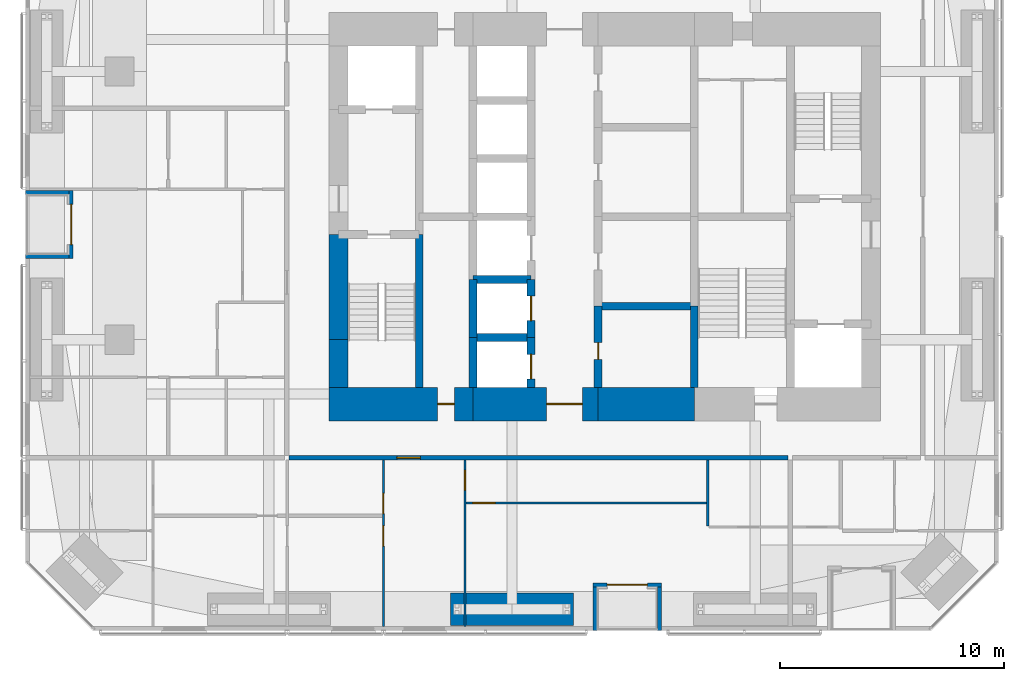
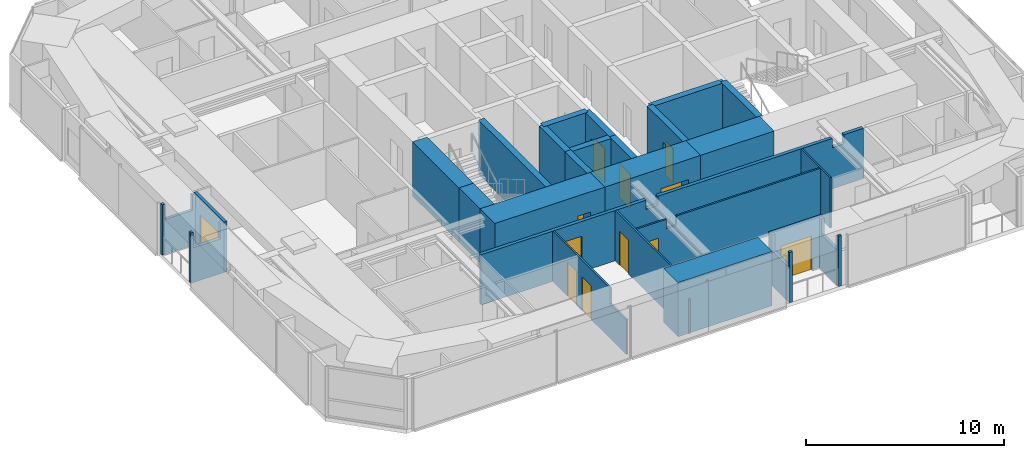
# One storey, part 18 of 24: 27 walls, 12 doors, 12 openings.
"""IFC4 building model written with IfcOpenShell, lengths in metres."""

from ifc_helpers import new_model, si_unit, direction, frame, frame_2d, origin, place, context, subcontext, project, spatial, polyline, rectangle, outline, extrude, material, layer, layer_set, constituent, constituent_set, type_object, element, fill, save


model = new_model("IFC4")

# Units and contexts
model_context = context("Model", 3, precision=1e-05, world=origin(), true_north=direction((0.0, 1.0)))
body_context = subcontext(model_context, "Body", "Model", "MODEL_VIEW")
ifc_project = project(units=[si_unit("LENGTHUNIT", "METRE"), si_unit("AREAUNIT", "SQUARE_METRE"), si_unit("VOLUMEUNIT", "CUBIC_METRE"), si_unit("PLANEANGLEUNIT", "RADIAN"), si_unit("MASSUNIT", "GRAM", prefix="KILO")], contexts=[model_context])

# Site, building, storey
site_placement = place(None, origin())
site = spatial("IfcSite", under=ifc_project, at=site_placement, CompositionType="ELEMENT")
building_placement = place(site_placement, origin())
building = spatial("IfcBuilding", under=site, at=building_placement, Name="Jalousie Tower", CompositionType="ELEMENT")
storey_placement = place(building_placement, frame((0.0, 0.0, 135.0)))
storey = spatial("IfcBuildingStorey", under=building, at=storey_placement, Name="L37", CompositionType="ELEMENT", Elevation=135.0)

# Wall, opening, door
ifc_material_1 = material(Name="Concrete f'c 120 MPa", Category="concrete")
ifc_layer_1 = layer(ifc_material_1, 1.5)
ifc_layer_set_1 = layer_set([ifc_layer_1], Name="Concrete f'c 120 MPa")
wall_type_1 = type_object("IfcWallType", Name="CORE WALL 1500", PredefinedType="SHEAR", material=ifc_layer_set_1)
wall_1_placement = place(storey_placement, frame((19.574951171875, 10.125, 0.0), z_axis=(0.0, 0.0, 1.0), x_axis=(1.0, 0.0, 0.0)))
wall_1 = element("IfcWall", 1, at=wall_1_placement, inside=storey, type_object=wall_type_1, Name="Core wall SA L37", PredefinedType="SHEAR", context=body_context, shape_type="SweptSolid", body=[
    extrude(rectangle(XDim=6.425048828125, YDim=1.5, at=frame_2d((3.21240234375, 0.0))), origin(), (0.0, 0.0, 1.0), 3.35009765625),
])
opening_1_placement = place(wall_1_placement, frame((4.85009765625, 0.0, 0.0)))
opening_1 = element("IfcOpeningElement", 2, at=opening_1_placement, cuts=wall_1, Name="Opening D16", PredefinedType="OPENING", context=body_context, shape_type="SweptSolid", body=[
    extrude(rectangle(XDim=0.75, YDim=2.10009765625, at=frame_2d((0.375, 1.050048828125))), frame((0.0, 0.760009765625, 0.0), z_axis=(0.0, -1.0, 0.0), x_axis=(1.0, 0.0, 0.0)), (0.0, 0.0, 1.0), 1.52001953125),
])
ifc_material_2 = material(Name="Steel fire door", Category="steel")
door_type_1 = type_object("IfcDoorType", Name="RISER DOOR 750", OperationType="SINGLE_SWING_LEFT", PredefinedType="DOOR", material=ifc_material_2)
door_1_placement = place(opening_1_placement, origin())
door_1 = element("IfcDoor", 3, at=door_1_placement, inside=storey, type_object=door_type_1, Name="South riser door", OperationType="SINGLE_SWING_LEFT", OverallHeight=2.10009765625, OverallWidth=0.75, PredefinedType="DOOR", context=body_context, shape_type="SweptSolid", body=[
    extrude(rectangle(XDim=0.75, YDim=2.10009765625, at=frame_2d((0.375, 1.050048828125))), frame((0.0, 0.02490234375, 0.0), z_axis=(0.0, -1.0, 0.0), x_axis=(1.0, 0.0, 0.0)), (0.0, 0.0, 1.0), 0.050048828125),
])
fill(opening_1, door_1)

wall_2_placement = place(storey_placement, frame((26.0, 10.125, 0.0), z_axis=(0.0, 0.0, 1.0), x_axis=(1.0, 0.0, 0.0)))
wall_2 = element("IfcWall", 4, at=wall_2_placement, inside=storey, type_object=wall_type_1, Name="Core wall SB L37", PredefinedType="SHEAR", context=body_context, shape_type="SweptSolid", body=[
    extrude(rectangle(XDim=5.60009765625, YDim=1.5, at=frame_2d((2.800048828125, 0.0))), origin(), (0.0, 0.0, 1.0), 3.35009765625),
])
opening_2_placement = place(wall_2_placement, frame((3.300048828125, 0.0, 0.0)))
opening_2 = element("IfcOpeningElement", 5, at=opening_2_placement, cuts=wall_2, Name="Opening D15", PredefinedType="OPENING", context=body_context, shape_type="SweptSolid", body=[
    extrude(rectangle(XDim=1.60009765625, YDim=2.10009765625, at=frame_2d((0.800048828125, 1.050048828125))), frame((0.0, 0.760009765625, 0.0), z_axis=(0.0, -1.0, 0.0), x_axis=(1.0, 0.0, 0.0)), (0.0, 0.0, 1.0), 1.52001953125),
])
ifc_material_3 = material(Name="Steel fire door", Category="steel")
door_type_2 = type_object("IfcDoorType", Name="LIFT LOBBY DOOR 1600", OperationType="DOUBLE_DOOR_SINGLE_SWING", PredefinedType="DOOR", material=ifc_material_3)
door_2_placement = place(opening_2_placement, origin())
door_2 = element("IfcDoor", 6, at=door_2_placement, inside=storey, type_object=door_type_2, Name="Lift lobby south door", OperationType="DOUBLE_DOOR_SINGLE_SWING", OverallHeight=2.10009765625, OverallWidth=1.60009765625, PredefinedType="DOOR", context=body_context, shape_type="SweptSolid", body=[
    extrude(rectangle(XDim=1.60009765625, YDim=2.10009765625, at=frame_2d((0.800048828125, 1.050048828125))), frame((0.0, 0.02490234375, 0.0), z_axis=(0.0, -1.0, 0.0), x_axis=(1.0, 0.0, 0.0)), (0.0, 0.0, 1.0), 0.050048828125),
])
fill(opening_2, door_2)

# Walls
wall_3_placement = place(storey_placement, frame((31.60009765625, 10.125, 0.0), z_axis=(0.0, 0.0, 1.0), x_axis=(1.0, 0.0, 0.0)))
element("IfcWall", 7, at=wall_3_placement, inside=storey, type_object=wall_type_1, Name="Core wall SC L37", PredefinedType="SHEAR", context=body_context, shape_type="SweptSolid", body=[
    extrude(rectangle(XDim=4.2998046875, YDim=1.5, at=frame_2d((2.14990234375, 0.0))), origin(), (0.0, 0.0, 1.0), 3.35009765625),
])
ifc_material_4 = material(Name="Concrete f'c 120 MPa", Category="concrete")
ifc_layer_2 = layer(ifc_material_4, 0.35009765625)
ifc_layer_set_2 = layer_set([ifc_layer_2], Name="Concrete f'c 120 MPa")
wall_type_2 = type_object("IfcWallType", Name="CORE WALL 350", PredefinedType="SHEAR", material=ifc_layer_set_2)
wall_4_placement = place(storey_placement, frame((23.60009765625, 10.875, 0.0), z_axis=(0.0, 0.0, 1.0), x_axis=(0.0, 1.0, 0.0)))
element("IfcWall", 8, at=wall_4_placement, inside=storey, type_object=wall_type_2, Name="Core wall X23.6A L37", PredefinedType="SHEAR", context=body_context, shape_type="SweptSolid", body=[
    extrude(rectangle(XDim=6.824951171875, YDim=0.35009765625, at=frame_2d((3.41259765625, 0.0))), origin(), (0.0, 0.0, 1.0), 3.35009765625),
])
wall_5_placement = place(storey_placement, frame((26.0, 10.875, 0.0), z_axis=(0.0, 0.0, 1.0), x_axis=(0.0, 1.0, 0.0)))
element("IfcWall", 9, at=wall_5_placement, inside=storey, type_object=wall_type_2, Name="Core wall X26A L37", PredefinedType="SHEAR", context=body_context, shape_type="SweptSolid", body=[
    extrude(rectangle(XDim=2.22509765625, YDim=0.35009765625, at=frame_2d((1.112548828125, 0.0))), origin(), (0.0, 0.0, 1.0), 3.35009765625),
])
wall_6_placement = place(storey_placement, frame((26.0, 13.10009765625, 0.0), z_axis=(0.0, 0.0, 1.0), x_axis=(0.0, 1.0, 0.0)))
element("IfcWall", 10, at=wall_6_placement, inside=storey, type_object=wall_type_2, Name="Core wall X26B L37", PredefinedType="SHEAR", context=body_context, shape_type="SweptSolid", body=[
    extrude(rectangle(XDim=2.599853515625, YDim=0.35009765625, at=frame_2d((1.2998046875, 0.0))), origin(), (0.0, 0.0, 1.0), 3.35009765625),
])

# Wall, opening, door
wall_7_placement = place(storey_placement, frame((28.60009765625, 10.875, 0.0), z_axis=(0.0, 0.0, 1.0), x_axis=(0.0, 1.0, 0.0)))
wall_7 = element("IfcWall", 11, at=wall_7_placement, inside=storey, type_object=wall_type_2, Name="Core wall X28.6A L37", PredefinedType="SHEAR", context=body_context, shape_type="SweptSolid", body=[
    extrude(rectangle(XDim=2.22509765625, YDim=0.35009765625, at=frame_2d((1.112548828125, 0.0))), origin(), (0.0, 0.0, 1.0), 3.35009765625),
])
opening_3_placement = place(wall_7_placement, frame((0.375, 0.0, 0.0)))
opening_3 = element("IfcOpeningElement", 12, at=opening_3_placement, cuts=wall_7, Name="Opening LD1", PredefinedType="OPENING", context=body_context, shape_type="SweptSolid", body=[
    extrude(rectangle(XDim=1.10009765625, YDim=2.10009765625, at=frame_2d((0.550048828125, 1.050048828125))), frame((0.0, 0.18505859375, 0.0), z_axis=(0.0, -1.0, 0.0), x_axis=(1.0, 0.0, 0.0)), (0.0, 0.0, 1.0), 0.3701171875),
])
ifc_material_5 = material(Name="Steel lift landing door", Category="steel")
door_type_3 = type_object("IfcDoorType", Name="LIFT LANDING DOOR 1100", OperationType="SLIDING_TO_LEFT", PredefinedType="DOOR", material=ifc_material_5)
door_3_placement = place(opening_3_placement, origin())
door_3 = element("IfcDoor", 13, at=door_3_placement, inside=storey, type_object=door_type_3, Name="Lift P1 landing door", OperationType="SLIDING_TO_LEFT", OverallHeight=2.10009765625, OverallWidth=1.10009765625, PredefinedType="DOOR", context=body_context, shape_type="SweptSolid", body=[
    extrude(rectangle(XDim=1.10009765625, YDim=2.10009765625, at=frame_2d((0.550048828125, 1.050048828125))), frame((0.0, 0.02490234375, 0.0), z_axis=(0.0, -1.0, 0.0), x_axis=(1.0, 0.0, 0.0)), (0.0, 0.0, 1.0), 0.050048828125),
])
fill(opening_3, door_3)

wall_8_placement = place(storey_placement, frame((28.60009765625, 13.10009765625, 0.0), z_axis=(0.0, 0.0, 1.0), x_axis=(0.0, 1.0, 0.0)))
wall_8 = element("IfcWall", 14, at=wall_8_placement, inside=storey, type_object=wall_type_2, Name="Core wall X28.6B L37", PredefinedType="SHEAR", context=body_context, shape_type="SweptSolid", body=[
    extrude(rectangle(XDim=2.599853515625, YDim=0.35009765625, at=frame_2d((1.2998046875, 0.0))), origin(), (0.0, 0.0, 1.0), 3.35009765625),
])
opening_4_placement = place(wall_8_placement, frame((0.75, 0.0, 0.0)))
opening_4 = element("IfcOpeningElement", 15, at=opening_4_placement, cuts=wall_8, Name="Opening LD1", PredefinedType="OPENING", context=body_context, shape_type="SweptSolid", body=[
    extrude(rectangle(XDim=1.10009765625, YDim=2.10009765625, at=frame_2d((0.550048828125, 1.050048828125))), frame((0.0, 0.18505859375, 0.0), z_axis=(0.0, -1.0, 0.0), x_axis=(1.0, 0.0, 0.0)), (0.0, 0.0, 1.0), 0.3701171875),
])
door_4_placement = place(opening_4_placement, origin())
door_4 = element("IfcDoor", 16, at=door_4_placement, inside=storey, type_object=door_type_3, Name="Lift P2 landing door", OperationType="SLIDING_TO_LEFT", OverallHeight=2.10009765625, OverallWidth=1.10009765625, PredefinedType="DOOR", context=body_context, shape_type="SweptSolid", body=[
    extrude(rectangle(XDim=1.10009765625, YDim=2.10009765625, at=frame_2d((0.550048828125, 1.050048828125))), frame((0.0, 0.02490234375, 0.0), z_axis=(0.0, -1.0, 0.0), x_axis=(1.0, 0.0, 0.0)), (0.0, 0.0, 1.0), 0.050048828125),
])
fill(opening_4, door_4)

wall_9_placement = place(storey_placement, frame((31.60009765625, 10.875, 0.0), z_axis=(0.0, 0.0, 1.0), x_axis=(0.0, 1.0, 0.0)))
wall_9 = element("IfcWall", 17, at=wall_9_placement, inside=storey, type_object=wall_type_2, Name="Core wall X31.6A L37", PredefinedType="SHEAR", context=body_context, shape_type="SweptSolid", body=[
    extrude(rectangle(XDim=3.625, YDim=0.35009765625, at=frame_2d((1.8125, 0.0))), origin(), (0.0, 0.0, 1.0), 3.35009765625),
])
opening_5_placement = place(wall_9_placement, frame((1.25, 0.0, 0.0)))
opening_5 = element("IfcOpeningElement", 18, at=opening_5_placement, cuts=wall_9, Name="Opening D16", PredefinedType="OPENING", context=body_context, shape_type="SweptSolid", body=[
    extrude(rectangle(XDim=0.75, YDim=2.10009765625, at=frame_2d((0.375, 1.050048828125))), frame((0.0, 0.18505859375, 0.0), z_axis=(0.0, -1.0, 0.0), x_axis=(1.0, 0.0, 0.0)), (0.0, 0.0, 1.0), 0.3701171875),
])
door_5_placement = place(opening_5_placement, frame((0.75, 0.0, 0.0), z_axis=(0.0, 0.0, 1.0), x_axis=(-1.0, 0.0, 0.0)))
door_5 = element("IfcDoor", 19, at=door_5_placement, inside=storey, type_object=door_type_1, Name="Refuse Room door", OperationType="SINGLE_SWING_RIGHT", OverallHeight=2.10009765625, OverallWidth=0.75, PredefinedType="DOOR", context=body_context, shape_type="SweptSolid", body=[
    extrude(rectangle(XDim=0.75, YDim=2.10009765625, at=frame_2d((0.375, 1.050048828125))), frame((0.0, 0.02490234375, 0.0), z_axis=(0.0, -1.0, 0.0), x_axis=(1.0, 0.0, 0.0)), (0.0, 0.0, 1.0), 0.050048828125),
])
fill(opening_5, door_5)

# Walls
wall_10_placement = place(storey_placement, frame((35.89990234375, 10.875, 0.0), z_axis=(0.0, 0.0, 1.0), x_axis=(0.0, 1.0, 0.0)))
element("IfcWall", 20, at=wall_10_placement, inside=storey, type_object=wall_type_2, Name="Core wall X35.9A L37", PredefinedType="SHEAR", context=body_context, shape_type="SweptSolid", body=[
    extrude(rectangle(XDim=3.625, YDim=0.35009765625, at=frame_2d((1.8125, 0.0))), origin(), (0.0, 0.0, 1.0), 3.35009765625),
])
for number, where, z_axis, x_axis, name in (
    (21, (26.0, 13.10009765625, 0.0), (0.0, 0.0, 1.0), (1.0, 0.0, 0.0), "Core wall Y26-13.1 L37"),
    (22, (26.0, 15.699951171875, 0.0), (0.0, 0.0, 1.0), (1.0, 0.0, 0.0), "Core wall Y26-15.7 L37"),
):
    element("IfcWall", number, at=place(storey_placement, frame(where, z_axis=z_axis, x_axis=x_axis)), inside=storey, type_object=wall_type_2, Name=name, PredefinedType="SHEAR", context=body_context, shape_type="SweptSolid", body=[
        extrude(rectangle(XDim=2.60009765625, YDim=0.35009765625, at=frame_2d((1.300048828125, 0.0))), origin(), (0.0, 0.0, 1.0), 3.35009765625),
    ])
wall_11_placement = place(storey_placement, frame((31.60009765625, 14.5, 0.0), z_axis=(0.0, 0.0, 1.0), x_axis=(1.0, 0.0, 0.0)))
element("IfcWall", 23, at=wall_11_placement, inside=storey, type_object=wall_type_2, Name="Core wall Y31.6-14.5 L37", PredefinedType="SHEAR", context=body_context, shape_type="SweptSolid", body=[
    extrude(rectangle(XDim=4.2998046875, YDim=0.35009765625, at=frame_2d((2.14990234375, 0.0))), origin(), (0.0, 0.0, 1.0), 3.35009765625),
])
ifc_material_6 = material(Name="Concrete f'c 120 MPa", Category="concrete")
ifc_layer_3 = layer(ifc_material_6, 0.85009765625)
ifc_layer_set_3 = layer_set([ifc_layer_3], Name="Concrete f'c 120 MPa")
wall_type_3 = type_object("IfcWallType", Name="CORE WALL 850", PredefinedType="SHEAR", material=ifc_layer_set_3)
wall_12_placement = place(storey_placement, frame((20.0, 17.699951171875, 0.0), z_axis=(0.0, 0.0, 1.0), x_axis=(0.0, -1.0, 0.0)))
element("IfcWall", 24, at=wall_12_placement, inside=storey, type_object=wall_type_3, Name="Core wall WC L37", PredefinedType="SHEAR", context=body_context, shape_type="SweptSolid", body=[
    extrude(rectangle(XDim=4.699951171875, YDim=0.85009765625, at=frame_2d((2.35009765625, 0.0))), origin(), (0.0, 0.0, 1.0), 3.35009765625),
])
wall_13_placement = place(storey_placement, frame((20.0, 13.0, 0.0), z_axis=(0.0, 0.0, 1.0), x_axis=(0.0, -1.0, 0.0)))
element("IfcWall", 25, at=wall_13_placement, inside=storey, type_object=wall_type_3, Name="Core wall WD L37", PredefinedType="SHEAR", context=body_context, shape_type="SweptSolid", body=[
    extrude(rectangle(XDim=2.125, YDim=0.85009765625, at=frame_2d((1.0625, 0.0))), origin(), (0.0, 0.0, 1.0), 3.35009765625),
])

# Wall, opening, door
ifc_material_7 = material(Name="Concrete block ASTM C90", Category="concrete")
ifc_constituent_1 = constituent(ifc_material_7, Name="Body")
ifc_material_8 = material(Name="Render")
ifc_constituent_2 = constituent(ifc_material_8, Name="Finish")
ifc_constituent_set_1 = constituent_set(constituents=[ifc_constituent_1, ifc_constituent_2])
wall_type_4 = type_object("IfcWallType", Name="CORRIDOR WALL 200", PredefinedType="PARTITIONING", material=ifc_constituent_set_1)
wall_14_placement = place(storey_placement, frame((17.77490234375, 7.72509765625, 0.0), z_axis=(0.0, 0.0, 1.0), x_axis=(1.0, 0.0, 0.0)))
wall_14 = element("IfcWall", 26, at=wall_14_placement, inside=storey, type_object=wall_type_4, Name="Corridor Wall 200 L37", PredefinedType="PARTITIONING", context=body_context, shape_type="SweptSolid", body=[
    extrude(outline(polyline([(0.0, 0.0), (22.3251953125, 0.0), (22.324951171875, 3.110107421875), (21.187255859375, 3.110107421875), (21.187255859375, 2.541015625), (20.5126953125, 2.541015625), (20.5126953125, 3.110107421875), (10.312255859375, 3.110107421875), (10.312255859375, 2.541015625), (9.6376953125, 2.541015625), (9.6376953125, 3.110107421875), (0.0, 3.110107421875), (0.0, 0.0)])), frame((0.0, 0.10009765625, 0.0), z_axis=(0.0, -1.0, 0.0), x_axis=(1.0, 0.0, 0.0)), (0.0, 0.0, 1.0), 0.199951171875),
])
opening_6_placement = place(wall_14_placement, frame((4.824951171875, 0.0, 0.0)))
opening_6 = element("IfcOpeningElement", 27, at=opening_6_placement, cuts=wall_14, Name="Opening D1", PredefinedType="OPENING", context=body_context, shape_type="SweptSolid", body=[
    extrude(rectangle(XDim=1.050048828125, YDim=2.199951171875, at=frame_2d((0.52490234375, 1.10009765625))), frame((0.0, 0.10986328125, 0.0), z_axis=(0.0, -1.0, 0.0), x_axis=(1.0, 0.0, 0.0)), (0.0, 0.0, 1.0), 0.219970703125),
])
ifc_material_9 = material(Name="Timber fire door", Category="wood")
door_type_4 = type_object("IfcDoorType", Name="APARTMENT ENTRANCE DOOR 1050", OperationType="SINGLE_SWING_LEFT", PredefinedType="DOOR", material=ifc_material_9)
door_6_placement = place(opening_6_placement, frame((1.050048828125, 0.0, 0.0), z_axis=(0.0, 0.0, 1.0), x_axis=(-1.0, 0.0, 0.0)))
door_6 = element("IfcDoor", 28, at=door_6_placement, inside=storey, type_object=door_type_4, Name="Apartment 3701 entrance", OperationType="SINGLE_SWING_RIGHT", OverallHeight=2.199951171875, OverallWidth=1.050048828125, PredefinedType="DOOR", context=body_context, shape_type="SweptSolid", body=[
    extrude(rectangle(XDim=1.050048828125, YDim=2.199951171875, at=frame_2d((0.52490234375, 1.10009765625))), frame((0.0, 0.02490234375, 0.0), z_axis=(0.0, -1.0, 0.0), x_axis=(1.0, 0.0, 0.0)), (0.0, 0.0, 1.0), 0.050048828125),
])
fill(opening_6, door_6)

ifc_material_10 = material(Name="Concrete f'c 40 MPa", Category="concrete")
ifc_constituent_3 = constituent(ifc_material_10, Name="Body")
ifc_material_11 = material(Name="Render, pastel sea green")
ifc_constituent_4 = constituent(ifc_material_11, Name="Finish")
ifc_constituent_set_2 = constituent_set(constituents=[ifc_constituent_3, ifc_constituent_4])
wall_type_5 = type_object("IfcWallType", Name="EXTERNAL WALL 175 SEA GREEN RENDER", PredefinedType="SOLIDWALL", material=ifc_constituent_set_2)
wall_15_placement = place(storey_placement, frame((31.375, 2.03759765625, 0.0), z_axis=(0.0, 0.0, 1.0), x_axis=(1.0, 0.0, 0.0)))
wall_15 = element("IfcWall", 29, at=wall_15_placement, inside=storey, type_object=wall_type_5, Name="External Wall 175 Sea Green Render L37", PredefinedType="SOLIDWALL", context=body_context, shape_type="SweptSolid", body=[
    extrude(rectangle(XDim=3.050048828125, YDim=0.175048828125, at=frame_2d((1.52490234375, 0.0))), origin(), (0.0, 0.0, 1.0), 3.110107421875),
])
opening_7_placement = place(wall_15_placement, frame((0.625, 0.0, 0.0)))
opening_7 = element("IfcOpeningElement", 30, at=opening_7_placement, cuts=wall_15, Name="Opening D-BAL21", PredefinedType="OPENING", context=body_context, shape_type="SweptSolid", body=[
    extrude(rectangle(XDim=1.800048828125, YDim=2.10009765625, at=frame_2d((0.89990234375, 1.050048828125))), frame((0.0, 0.097412109375, 0.0), z_axis=(0.0, -1.0, 0.0), x_axis=(1.0, 0.0, 0.0)), (0.0, 0.0, 1.0), 0.195068359375),
])
ifc_material_12 = material(Name="Aluminium frame, impact-rated glazing", Category="aluminium")
door_type_5 = type_object("IfcDoorType", Name="BALCONY DOOR 1800x2100", OperationType="SLIDING_TO_LEFT", PredefinedType="DOOR", material=ifc_material_12)
door_7_placement = place(opening_7_placement, origin())
door_7 = element("IfcDoor", 31, at=door_7_placement, inside=storey, type_object=door_type_5, Name="Apartment 3701 living and dining room loggia door", OperationType="SLIDING_TO_LEFT", OverallHeight=2.10009765625, OverallWidth=1.800048828125, PredefinedType="DOOR", context=body_context, shape_type="SweptSolid", body=[
    extrude(rectangle(XDim=1.800048828125, YDim=2.10009765625, at=frame_2d((0.89990234375, 1.050048828125))), frame((0.0, 0.02490234375, 0.0), z_axis=(0.0, -1.0, 0.0), x_axis=(1.0, 0.0, 0.0)), (0.0, 0.0, 1.0), 0.050048828125),
])
fill(opening_7, door_7)

# Walls
for number, where, z_axis, x_axis, name in (
    (32, (31.46240234375, 0.0, 0.0), (0.0, 0.0, 1.0), (0.0, 1.0, 0.0), "External Wall 175 Sea Green Render L37"),
    (33, (34.33740234375, 0.0, 0.0), (0.0, 0.0, 1.0), (0.0, 1.0, 0.0), "External Wall 175 Sea Green Render L37"),
):
    element("IfcWall", number, at=place(storey_placement, frame(where, z_axis=z_axis, x_axis=x_axis)), inside=storey, type_object=wall_type_5, Name=name, PredefinedType="SOLIDWALL", context=body_context, shape_type="SweptSolid", body=[
        extrude(outline(polyline([(0.0, 0.0), (1.949951171875, 0.0), (1.949951171875, 3.110107421875), (1.75, 3.110107421875), (1.75, 2.14990234375), (0.14990234375, 2.14990234375), (0.14990234375, 3.110107421875), (0.0, 3.110107421875), (0.0, 0.0)])), frame((0.0, 0.08740234375, 0.0), z_axis=(0.0, -1.0, 0.0), x_axis=(1.0, 0.0, 0.0)), (0.0, 0.0, 1.0), 0.175048828125),
    ])

# Wall, opening, door
wall_16_placement = place(storey_placement, frame((8.03759765625, 19.675048828125, 0.0), z_axis=(0.0, 0.0, 1.0), x_axis=(0.0, -1.0, 0.0)))
wall_16 = element("IfcWall", 34, at=wall_16_placement, inside=storey, type_object=wall_type_5, Name="External Wall 175 Sea Green Render L37", PredefinedType="SOLIDWALL", context=body_context, shape_type="SweptSolid", body=[
    extrude(rectangle(XDim=3.050048828125, YDim=0.175048828125, at=frame_2d((1.52490234375, 0.0))), origin(), (0.0, 0.0, 1.0), 3.110107421875),
])
opening_8_placement = place(wall_16_placement, frame((0.625, 0.0, 0.0)))
opening_8 = element("IfcOpeningElement", 35, at=opening_8_placement, cuts=wall_16, Name="Opening D-BAL21", PredefinedType="OPENING", context=body_context, shape_type="SweptSolid", body=[
    extrude(rectangle(XDim=1.800048828125, YDim=2.10009765625, at=frame_2d((0.89990234375, 1.050048828125))), frame((0.0, 0.097412109375, 0.0), z_axis=(0.0, -1.0, 0.0), x_axis=(1.0, 0.0, 0.0)), (0.0, 0.0, 1.0), 0.195068359375),
])
door_8_placement = place(opening_8_placement, origin())
door_8 = element("IfcDoor", 36, at=door_8_placement, inside=storey, type_object=door_type_5, Name="Apartment 3704 living and dining room loggia door", OperationType="SLIDING_TO_LEFT", OverallHeight=2.10009765625, OverallWidth=1.800048828125, PredefinedType="DOOR", context=body_context, shape_type="SweptSolid", body=[
    extrude(rectangle(XDim=1.800048828125, YDim=2.10009765625, at=frame_2d((0.89990234375, 1.050048828125))), frame((0.0, 0.02490234375, 0.0), z_axis=(0.0, -1.0, 0.0), x_axis=(1.0, 0.0, 0.0)), (0.0, 0.0, 1.0), 0.050048828125),
])
fill(opening_8, door_8)

# Walls
for number, where, z_axis, x_axis, name in (
    (37, (6.0, 19.58740234375, 0.0), (0.0, 0.0, 1.0), (1.0, 0.0, 0.0), "External Wall 175 Sea Green Render L37"),
    (38, (6.0, 16.71240234375, 0.0), (0.0, 0.0, 1.0), (1.0, 0.0, 0.0), "External Wall 175 Sea Green Render L37"),
):
    element("IfcWall", number, at=place(storey_placement, frame(where, z_axis=z_axis, x_axis=x_axis)), inside=storey, type_object=wall_type_5, Name=name, PredefinedType="SOLIDWALL", context=body_context, shape_type="SweptSolid", body=[
        extrude(outline(polyline([(0.0, 0.0), (1.949951171875, 0.0), (1.949951171875, 3.110107421875), (1.75, 3.110107421875), (1.75, 2.14990234375), (0.14990234375, 2.14990234375), (0.14990234375, 3.110107421875), (0.0, 3.110107421875), (0.0, 0.0)])), frame((0.0, 0.08740234375, 0.0), z_axis=(0.0, -1.0, 0.0), x_axis=(1.0, 0.0, 0.0)), (0.0, 0.0, 1.0), 0.175048828125),
    ])

# Wall, openings, doors
ifc_material_13 = material(Name="Gypsum board", Category="gypsum")
ifc_constituent_5 = constituent(ifc_material_13, Name="Body")
ifc_material_14 = material(Name="Light-gauge steel studs ASTM A653 SS Grade 33", Category="steel")
ifc_constituent_6 = constituent(ifc_material_14, Name="Framing")
ifc_constituent_set_3 = constituent_set(constituents=[ifc_constituent_5, ifc_constituent_6])
wall_type_6 = type_object("IfcWallType", Name="PARTITION 100", PredefinedType="PARTITIONING", material=ifc_constituent_set_3)
wall_17_placement = place(storey_placement, frame((22.0, 0.175048828125, 0.0), z_axis=(0.0, 0.0, 1.0), x_axis=(0.0, 1.0, 0.0)))
wall_17 = element("IfcWall", 39, at=wall_17_placement, inside=storey, type_object=wall_type_6, Name="Partition 100 L37", PredefinedType="PARTITIONING", context=body_context, shape_type="SweptSolid", body=[
    extrude(outline(polyline([(0.0, 0.0), (7.449951171875, 0.0), (7.449951171875, 3.110107421875), (1.635009765625, 3.110107421875), (1.635009765625, 2.14990234375), (0.0, 2.14990234375), (0.0, 3.110107421875), (0.0, 0.0)])), frame((0.0, 0.050048828125, 0.0), z_axis=(0.0, -1.0, 0.0), x_axis=(1.0, 0.0, 0.0)), (0.0, 0.0, 1.0), 0.10009765625),
])
opening_9_placement = place(wall_17_placement, frame((3.60009765625, 0.0, 0.0)))
opening_9 = element("IfcOpeningElement", 40, at=opening_9_placement, cuts=wall_17, Name="Opening D2", PredefinedType="OPENING", context=body_context, shape_type="SweptSolid", body=[
    extrude(rectangle(XDim=0.89990234375, YDim=2.10009765625, at=frame_2d((0.449951171875, 1.050048828125))), frame((0.0, 0.06005859375, 0.0), z_axis=(0.0, -1.0, 0.0), x_axis=(1.0, 0.0, 0.0)), (0.0, 0.0, 1.0), 0.1201171875),
])
opening_10_placement = place(wall_17_placement, frame((5.050048828125, 0.0, 0.0)))
opening_10 = element("IfcOpeningElement", 41, at=opening_10_placement, cuts=wall_17, Name="Opening D7", PredefinedType="OPENING", context=body_context, shape_type="SweptSolid", body=[
    extrude(rectangle(XDim=0.89990234375, YDim=2.10009765625, at=frame_2d((0.449951171875, 1.050048828125))), frame((0.0, 0.06005859375, 0.0), z_axis=(0.0, -1.0, 0.0), x_axis=(1.0, 0.0, 0.0)), (0.0, 0.0, 1.0), 0.1201171875),
])
ifc_material_15 = material(Name="Timber door", Category="wood")
door_type_6 = type_object("IfcDoorType", Name="BEDROOM DOOR 900", OperationType="SINGLE_SWING_LEFT", PredefinedType="DOOR", material=ifc_material_15)
door_9_placement = place(opening_9_placement, origin())
door_9 = element("IfcDoor", 42, at=door_9_placement, inside=storey, type_object=door_type_6, Name="Apartment 3701 bedroom 3 door", OperationType="SINGLE_SWING_RIGHT", OverallHeight=2.10009765625, OverallWidth=0.89990234375, PredefinedType="DOOR", context=body_context, shape_type="SweptSolid", body=[
    extrude(rectangle(XDim=0.89990234375, YDim=2.10009765625, at=frame_2d((0.449951171875, 1.050048828125))), frame((0.0, 0.02490234375, 0.0), z_axis=(0.0, -1.0, 0.0), x_axis=(1.0, 0.0, 0.0)), (0.0, 0.0, 1.0), 0.050048828125),
])
fill(opening_9, door_9)
ifc_material_16 = material(Name="Timber door", Category="wood")
door_type_7 = type_object("IfcDoorType", Name="INTERNAL DOOR 900", OperationType="SINGLE_SWING_LEFT", PredefinedType="DOOR", material=ifc_material_16)
door_10_placement = place(opening_10_placement, origin())
door_10 = element("IfcDoor", 43, at=door_10_placement, inside=storey, type_object=door_type_7, Name="Apartment 3701 bathroom door", OperationType="SINGLE_SWING_LEFT", OverallHeight=2.10009765625, OverallWidth=0.89990234375, PredefinedType="DOOR", context=body_context, shape_type="SweptSolid", body=[
    extrude(rectangle(XDim=0.89990234375, YDim=2.10009765625, at=frame_2d((0.449951171875, 1.050048828125))), frame((0.0, 0.02490234375, 0.0), z_axis=(0.0, -1.0, 0.0), x_axis=(1.0, 0.0, 0.0)), (0.0, 0.0, 1.0), 0.050048828125),
])
fill(opening_10, door_10)

# Wall, opening, door
wall_18_placement = place(storey_placement, frame((25.64990234375, 0.175048828125, 0.0), z_axis=(0.0, 0.0, 1.0), x_axis=(0.0, 1.0, 0.0)))
wall_18 = element("IfcWall", 44, at=wall_18_placement, inside=storey, type_object=wall_type_6, Name="Partition 100 L37", PredefinedType="PARTITIONING", context=body_context, shape_type="SweptSolid", body=[
    extrude(outline(polyline([(0.52880859375, 2.14990234375), (0.0, 2.14990234375), (0.0, 0.0), (0.52880859375, 0.0), (0.52880859375, 0.0341796875), (1.021240234375, 0.0341796875), (1.021240234375, 0.0), (7.449951171875, 0.0), (7.449951171875, 3.110107421875), (1.635009765625, 3.110107421875), (1.635009765625, 2.14990234375), (1.021240234375, 2.14990234375), (1.021240234375, 2.11572265625), (0.52880859375, 2.11572265625), (0.52880859375, 2.14990234375)])), frame((0.0, 0.050048828125, 0.0), z_axis=(0.0, -1.0, 0.0), x_axis=(1.0, 0.0, 0.0)), (0.0, 0.0, 1.0), 0.10009765625),
])
opening_11_placement = place(wall_18_placement, frame((6.10009765625, 0.0, 0.0)))
opening_11 = element("IfcOpeningElement", 45, at=opening_11_placement, cuts=wall_18, Name="Opening D2", PredefinedType="OPENING", context=body_context, shape_type="SweptSolid", body=[
    extrude(rectangle(XDim=0.89990234375, YDim=2.10009765625, at=frame_2d((0.449951171875, 1.050048828125))), frame((0.0, 0.06005859375, 0.0), z_axis=(0.0, -1.0, 0.0), x_axis=(1.0, 0.0, 0.0)), (0.0, 0.0, 1.0), 0.1201171875),
])
door_11_placement = place(opening_11_placement, origin())
door_11 = element("IfcDoor", 46, at=door_11_placement, inside=storey, type_object=door_type_6, Name="Apartment 3701 study door", OperationType="SINGLE_SWING_RIGHT", OverallHeight=2.10009765625, OverallWidth=0.89990234375, PredefinedType="DOOR", context=body_context, shape_type="SweptSolid", body=[
    extrude(rectangle(XDim=0.89990234375, YDim=2.10009765625, at=frame_2d((0.449951171875, 1.050048828125))), frame((0.0, 0.02490234375, 0.0), z_axis=(0.0, -1.0, 0.0), x_axis=(1.0, 0.0, 0.0)), (0.0, 0.0, 1.0), 0.050048828125),
])
fill(opening_11, door_11)

# Wall
wall_19_placement = place(storey_placement, frame((36.5, 4.675048828125, 0.0), z_axis=(0.0, 0.0, 1.0), x_axis=(0.0, 1.0, 0.0)))
element("IfcWall", 47, at=wall_19_placement, inside=storey, type_object=wall_type_6, Name="Partition 100 L37", PredefinedType="PARTITIONING", context=body_context, shape_type="SweptSolid", body=[
    extrude(rectangle(XDim=2.949951171875, YDim=0.10009765625, at=frame_2d((1.47509765625, 0.0))), origin(), (0.0, 0.0, 1.0), 3.110107421875),
])

# Wall, opening, door
wall_20_placement = place(storey_placement, frame((25.699951171875, 5.699951171875, 0.0), z_axis=(0.0, 0.0, 1.0), x_axis=(1.0, 0.0, 0.0)))
wall_20 = element("IfcWall", 48, at=wall_20_placement, inside=storey, type_object=wall_type_6, Name="Partition 100 L37", PredefinedType="PARTITIONING", context=body_context, shape_type="SweptSolid", body=[
    extrude(outline(polyline([(0.0, 0.0), (10.75, 0.0), (10.75, 3.110107421875), (2.33740234375, 3.110107421875), (2.33740234375, 2.541015625), (1.7626953125, 2.541015625), (1.7626953125, 3.110107421875), (0.0, 3.110107421875), (0.0, 0.0)])), frame((0.0, 0.050048828125, 0.0), z_axis=(0.0, -1.0, 0.0), x_axis=(1.0, 0.0, 0.0)), (0.0, 0.0, 1.0), 0.10009765625),
])
opening_12_placement = place(wall_20_placement, frame((0.300048828125, 0.0, 0.0)))
opening_12 = element("IfcOpeningElement", 49, at=opening_12_placement, cuts=wall_20, Name="Opening D6", PredefinedType="OPENING", context=body_context, shape_type="SweptSolid", body=[
    extrude(rectangle(XDim=1.0, YDim=2.10009765625, at=frame_2d((0.5, 1.050048828125))), frame((0.0, 0.06005859375, 0.0), z_axis=(0.0, -1.0, 0.0), x_axis=(1.0, 0.0, 0.0)), (0.0, 0.0, 1.0), 0.1201171875),
])
ifc_material_17 = material(Name="Timber door", Category="wood")
door_type_8 = type_object("IfcDoorType", Name="INTERNAL DOOR 1000", OperationType="SINGLE_SWING_LEFT", PredefinedType="DOOR", material=ifc_material_17)
door_12_placement = place(opening_12_placement, frame((1.0, 0.0, 0.0), z_axis=(0.0, 0.0, 1.0), x_axis=(-1.0, 0.0, 0.0)))
door_12 = element("IfcDoor", 50, at=door_12_placement, inside=storey, type_object=door_type_8, Name="Apartment 3701 hall door", OperationType="SINGLE_SWING_RIGHT", OverallHeight=2.10009765625, OverallWidth=1.0, PredefinedType="DOOR", context=body_context, shape_type="SweptSolid", body=[
    extrude(rectangle(XDim=1.0, YDim=2.10009765625, at=frame_2d((0.5, 1.050048828125))), frame((0.0, 0.02490234375, 0.0), z_axis=(0.0, -1.0, 0.0), x_axis=(1.0, 0.0, 0.0)), (0.0, 0.0, 1.0), 0.050048828125),
])
fill(opening_12, door_12)

# Wall
ifc_material_18 = material(Name="Concrete f'c 120 MPa", Category="concrete")
ifc_layer_4 = layer(ifc_material_18, 1.449951171875)
ifc_layer_set_4 = layer_set([ifc_layer_4], Name="Concrete f'c 120 MPa")
wall_type_7 = type_object("IfcWallType", Name="RC WALL PIER 1450", PredefinedType="SHEAR", material=ifc_layer_set_4)
wall_21_placement = place(storey_placement, frame((25.0, 0.949951171875, 0.0), z_axis=(0.0, 0.0, 1.0), x_axis=(1.0, 0.0, 0.0)))
element("IfcWall", 51, at=wall_21_placement, inside=storey, type_object=wall_type_7, Name="Wall pier 03 L37", PredefinedType="SHEAR", context=body_context, shape_type="SweptSolid", body=[
    extrude(rectangle(XDim=5.5, YDim=1.449951171875, at=frame_2d((2.75, 0.0))), origin(), (0.0, 0.0, 1.0), 3.35009765625),
])

save(model, "model.ifc")
